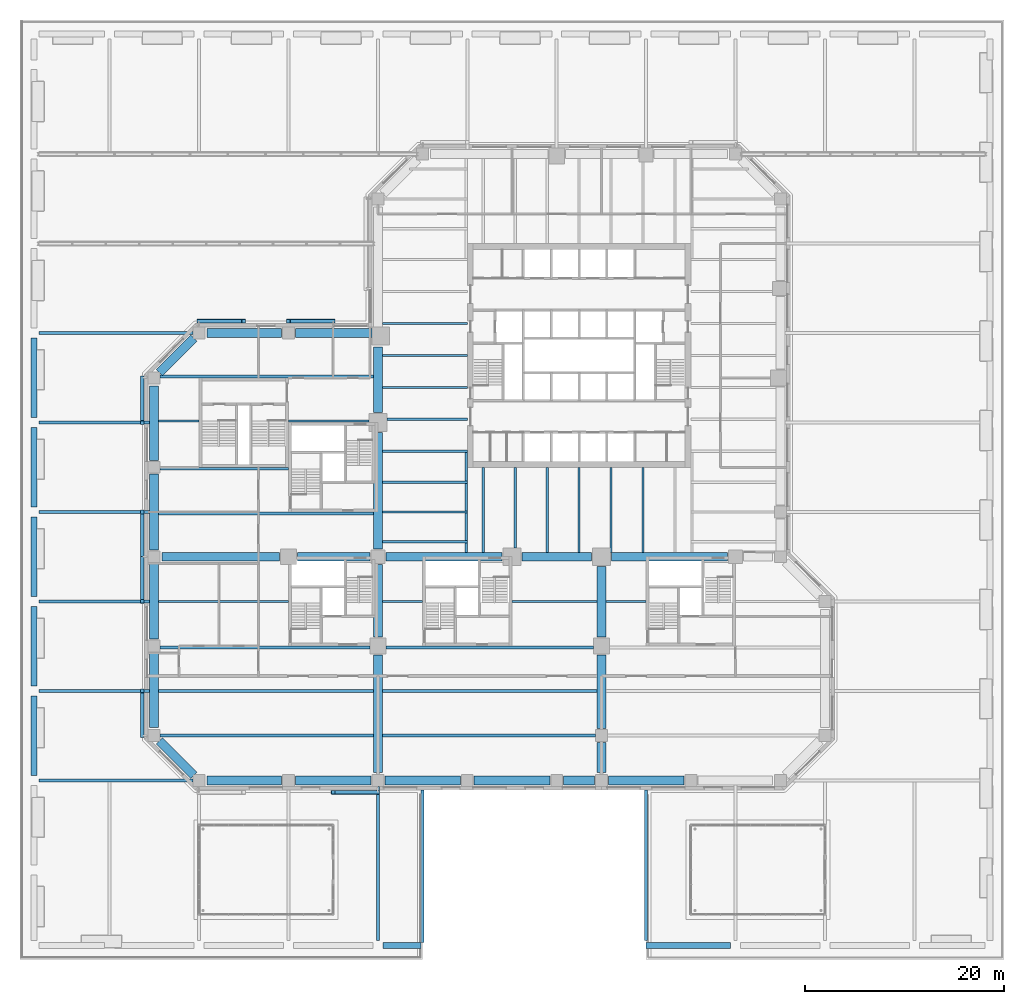
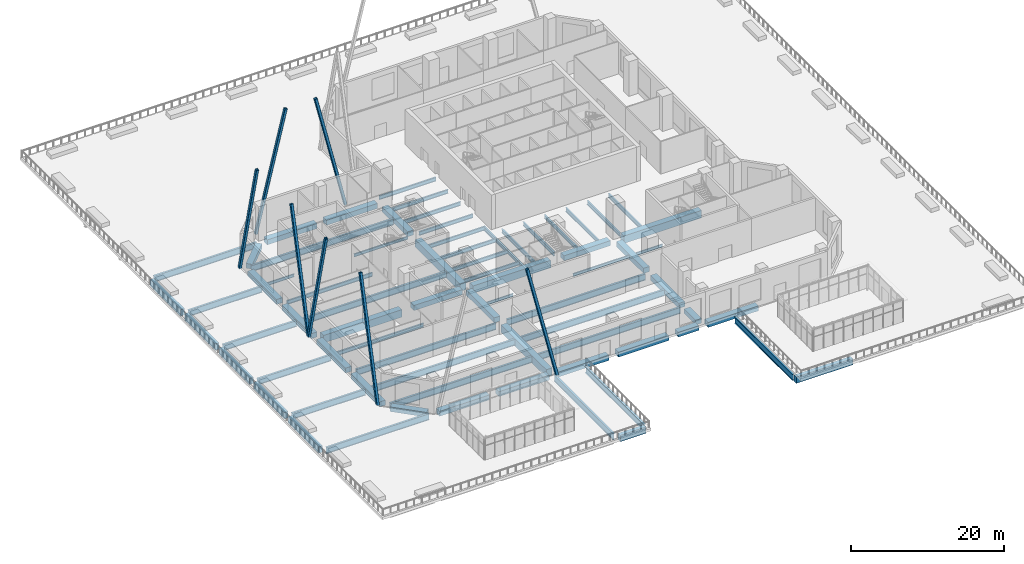
# One storey, part 8 of 33: 72 beams, 7 members.
"""IFC4 building model written with IfcOpenShell, lengths in metres."""

from ifc_helpers import new_model, si_unit, direction, frame, origin, origin_2d, place, context, subcontext, project, spatial, rectangle, hollow_rectangle, i_section, extrude, material, material_profile, profile_set, type_object, element, save


model = new_model("IFC4")

# Units and contexts
model_context = context("Model", 3, precision=1e-05, world=origin(), true_north=direction((0.0, 1.0)))
body_context = subcontext(model_context, "Body", "Model", "MODEL_VIEW")
ifc_project = project(units=[si_unit("LENGTHUNIT", "METRE"), si_unit("AREAUNIT", "SQUARE_METRE"), si_unit("VOLUMEUNIT", "CUBIC_METRE"), si_unit("PLANEANGLEUNIT", "RADIAN"), si_unit("MASSUNIT", "GRAM", prefix="KILO")], contexts=[model_context])

# Site, building, storey
site_placement = place(None, origin())
site = spatial("IfcSite", under=ifc_project, at=site_placement, CompositionType="ELEMENT")
building_placement = place(site_placement, origin())
building = spatial("IfcBuilding", under=site, at=building_placement, Name="Quoin Convention Tower", CompositionType="ELEMENT")
storey_placement = place(building_placement, frame((0.0, 0.0, 8.0)))
storey = spatial("IfcBuildingStorey", under=building, at=storey_placement, Name="L01", CompositionType="ELEMENT", Elevation=8.0)

# Beams
ifc_material_1 = material(Name="Steel Grade 300", Category="steel")
ifc_material_profile_1 = material_profile(ifc_material_1, i_section(OverallWidth=0.300048828125, OverallDepth=1.0, WebThickness=0.01611328125, FlangeThickness=0.02001953125, at=origin_2d()), Name="1000WB215")
ifc_profile_set_1 = profile_set([ifc_material_profile_1], Name="Steel Grade 300")
beam_type_1 = type_object("IfcBeamType", Name="1000WB215", PredefinedType="BEAM", material=ifc_profile_set_1)
beam_1_placement = place(storey_placement, frame((14.10009765625, 22.5, -0.85009765625), z_axis=(1.0, 0.0, 0.0), x_axis=(0.0, 1.0, 0.0)))
element("IfcBeam", 1, at=beam_1_placement, inside=storey, type_object=beam_type_1, Name="gir-L01-ST4-1-0", PredefinedType="BEAM", context=body_context, shape_type="SweptSolid", body=[
    extrude(i_section(OverallWidth=0.300048828125, OverallDepth=1.0, WebThickness=0.01611328125, FlangeThickness=0.02001953125, at=origin_2d()), origin(), (0.0, 0.0, 1.0), 21.449951171875),
])
beam_2_placement = place(storey_placement, frame((13.949951171875, 27.0, -0.85009765625), z_axis=(1.0, 0.0, 0.0), x_axis=(0.0, 1.0, 0.0)))
element("IfcBeam", 2, at=beam_2_placement, inside=storey, type_object=beam_type_1, Name="gir-L01-ST4-2-0", PredefinedType="BEAM", context=body_context, shape_type="SweptSolid", body=[
    extrude(i_section(OverallWidth=0.300048828125, OverallDepth=1.0, WebThickness=0.01611328125, FlangeThickness=0.02001953125, at=origin_2d()), origin(), (0.0, 0.0, 1.0), 21.60009765625),
])
beam_3_placement = place(storey_placement, frame((14.10009765625, 31.35009765625, -0.85009765625), z_axis=(1.0, 0.0, 0.0), x_axis=(0.0, 1.0, 0.0)))
element("IfcBeam", 3, at=beam_3_placement, inside=storey, type_object=beam_type_1, Name="gir-L01-ST4-3-0", PredefinedType="BEAM", context=body_context, shape_type="SweptSolid", body=[
    extrude(i_section(OverallWidth=0.300048828125, OverallDepth=1.0, WebThickness=0.01611328125, FlangeThickness=0.02001953125, at=origin_2d()), origin(), (0.0, 0.0, 1.0), 21.099853515625),
])
beam_4_placement = place(storey_placement, frame((36.449951171875, 22.5, -0.85009765625), z_axis=(1.0, 0.0, 0.0), x_axis=(0.0, 1.0, 0.0)))
element("IfcBeam", 4, at=beam_4_placement, inside=storey, type_object=beam_type_1, Name="gir-L01-ST3-1-0", PredefinedType="BEAM", context=body_context, shape_type="SweptSolid", body=[
    extrude(i_section(OverallWidth=0.300048828125, OverallDepth=1.0, WebThickness=0.01611328125, FlangeThickness=0.02001953125, at=origin_2d()), origin(), (0.0, 0.0, 1.0), 21.449951171875),
])
beam_5_placement = place(storey_placement, frame((36.449951171875, 27.0, -0.85009765625), z_axis=(1.0, 0.0, 0.0), x_axis=(0.0, 1.0, 0.0)))
element("IfcBeam", 5, at=beam_5_placement, inside=storey, type_object=beam_type_1, Name="gir-L01-ST3-2-0", PredefinedType="BEAM", context=body_context, shape_type="SweptSolid", body=[
    extrude(i_section(OverallWidth=0.300048828125, OverallDepth=1.0, WebThickness=0.01611328125, FlangeThickness=0.02001953125, at=origin_2d()), origin(), (0.0, 0.0, 1.0), 21.60009765625),
])
beam_6_placement = place(storey_placement, frame((36.800048828125, 31.35009765625, -0.85009765625), z_axis=(1.0, 0.0, 0.0), x_axis=(0.0, 1.0, 0.0)))
element("IfcBeam", 6, at=beam_6_placement, inside=storey, type_object=beam_type_1, Name="gir-L01-ST3-3-0", PredefinedType="BEAM", context=body_context, shape_type="SweptSolid", body=[
    extrude(i_section(OverallWidth=0.300048828125, OverallDepth=1.0, WebThickness=0.01611328125, FlangeThickness=0.02001953125, at=origin_2d()), origin(), (0.0, 0.0, 1.0), 20.89990234375),
])
beam_7_placement = place(storey_placement, frame((13.949951171875, 44.85009765625, -0.85009765625), z_axis=(1.0, 0.0, 0.0), x_axis=(0.0, 1.0, 0.0)))
element("IfcBeam", 7, at=beam_7_placement, inside=storey, type_object=beam_type_1, Name="gir-L01-ST2-1-0", PredefinedType="BEAM", context=body_context, shape_type="SweptSolid", body=[
    extrude(i_section(OverallWidth=0.300048828125, OverallDepth=1.0, WebThickness=0.01611328125, FlangeThickness=0.02001953125, at=origin_2d()), origin(), (0.0, 0.0, 1.0), 21.60009765625),
])
beam_8_placement = place(storey_placement, frame((14.10009765625, 58.64990234375, -0.85009765625), z_axis=(1.0, 0.0, 0.0), x_axis=(0.0, 1.0, 0.0)))
element("IfcBeam", 8, at=beam_8_placement, inside=storey, type_object=beam_type_1, Name="gir-L01-ST2-4-0", PredefinedType="BEAM", context=body_context, shape_type="SweptSolid", body=[
    extrude(i_section(OverallWidth=0.300048828125, OverallDepth=1.0, WebThickness=0.01611328125, FlangeThickness=0.02001953125, at=origin_2d()), origin(), (0.0, 0.0, 1.0), 21.449951171875),
])
beam_9_placement = place(storey_placement, frame((36.0, 1.89990234375, -0.909912109375), z_axis=(0.0, 1.0, 0.0), x_axis=(-1.0, 0.0, 0.0)))
element("IfcBeam", 9, at=beam_9_placement, inside=storey, type_object=beam_type_1, Name="gir-L01-deck-N36000_1900", PredefinedType="BEAM", context=body_context, shape_type="SweptSolid", body=[
    extrude(i_section(OverallWidth=0.300048828125, OverallDepth=1.0, WebThickness=0.01611328125, FlangeThickness=0.02001953125, at=origin_2d()), origin(), (0.0, 0.0, 1.0), 15.5),
])
beam_10_placement = place(storey_placement, frame((40.5, 1.699951171875, -0.909912109375), z_axis=(0.0, 1.0, 0.0), x_axis=(-1.0, 0.0, 0.0)))
element("IfcBeam", 10, at=beam_10_placement, inside=storey, type_object=beam_type_1, Name="gir-L01-deck-N40500_1700", PredefinedType="BEAM", context=body_context, shape_type="SweptSolid", body=[
    extrude(i_section(OverallWidth=0.300048828125, OverallDepth=1.0, WebThickness=0.01611328125, FlangeThickness=0.02001953125, at=origin_2d()), origin(), (0.0, 0.0, 1.0), 15.35009765625),
])
beam_11_placement = place(storey_placement, frame((63.0, 1.89990234375, -0.909912109375), z_axis=(0.0, 1.0, 0.0), x_axis=(-1.0, 0.0, 0.0)))
element("IfcBeam", 11, at=beam_11_placement, inside=storey, type_object=beam_type_1, Name="gir-L01-deck-N63000_1900", PredefinedType="BEAM", context=body_context, shape_type="SweptSolid", body=[
    extrude(i_section(OverallWidth=0.300048828125, OverallDepth=1.0, WebThickness=0.01611328125, FlangeThickness=0.02001953125, at=origin_2d()), origin(), (0.0, 0.0, 1.0), 15.150146484375),
])
beam_12_placement = place(storey_placement, frame((1.89990234375, 18.0, -0.909912109375), z_axis=(1.0, 0.0, 0.0), x_axis=(0.0, 1.0, 0.0)))
element("IfcBeam", 12, at=beam_12_placement, inside=storey, type_object=beam_type_1, Name="gir-L01-deck-E1900_18000", PredefinedType="BEAM", context=body_context, shape_type="SweptSolid", body=[
    extrude(i_section(OverallWidth=0.300048828125, OverallDepth=1.0, WebThickness=0.01611328125, FlangeThickness=0.02001953125, at=origin_2d()), origin(), (0.0, 0.0, 1.0), 15.5),
])
for number, where, z_axis, x_axis, name in (
    (13, (1.89990234375, 27.0, -0.909912109375), (1.0, 0.0, 0.0), (0.0, 1.0, 0.0), "gir-L01-deck-E1900_27000"),
    (14, (1.89990234375, 36.0, -0.909912109375), (1.0, 0.0, 0.0), (0.0, 1.0, 0.0), "gir-L01-deck-E1900_36000"),
    (15, (1.89990234375, 45.0, -0.909912109375), (1.0, 0.0, 0.0), (0.0, 1.0, 0.0), "gir-L01-deck-E1900_45000"),
    (16, (1.89990234375, 54.0, -0.909912109375), (1.0, 0.0, 0.0), (0.0, 1.0, 0.0), "gir-L01-deck-E1900_54000"),
):
    element("IfcBeam", number, at=place(storey_placement, frame(where, z_axis=z_axis, x_axis=x_axis)), inside=storey, type_object=beam_type_1, Name=name, PredefinedType="BEAM", context=body_context, shape_type="SweptSolid", body=[
        extrude(i_section(OverallWidth=0.300048828125, OverallDepth=1.0, WebThickness=0.01611328125, FlangeThickness=0.02001953125, at=origin_2d()), origin(), (0.0, 0.0, 1.0), 11.150146484375),
    ])
beam_13_placement = place(storey_placement, frame((1.89990234375, 63.0, -0.909912109375), z_axis=(1.0, 0.0, 0.0), x_axis=(0.0, 1.0, 0.0)))
element("IfcBeam", 17, at=beam_13_placement, inside=storey, type_object=beam_type_1, Name="gir-L01-deck-E1900_63000", PredefinedType="BEAM", context=body_context, shape_type="SweptSolid", body=[
    extrude(i_section(OverallWidth=0.300048828125, OverallDepth=1.0, WebThickness=0.01611328125, FlangeThickness=0.02001953125, at=origin_2d()), origin(), (0.0, 0.0, 1.0), 15.5),
])
ifc_material_profile_2 = material_profile(ifc_material_1, i_section(OverallWidth=0.18994140625, OverallDepth=0.4541015625, WebThickness=0.008544921875, FlangeThickness=0.0126953125, FilletRadius=0.011474609375, at=origin_2d()), Name="460UB67.1")
ifc_profile_set_2 = profile_set([ifc_material_profile_2], Name="Steel Grade 300")
beam_type_2 = type_object("IfcBeamType", Name="460UB67.1", PredefinedType="BEAM", material=ifc_profile_set_2)
beam_14_placement = place(storey_placement, frame((36.449951171875, 36.0, -0.576904296875), z_axis=(1.0, 0.0, 0.0), x_axis=(0.0, 1.0, 0.0)))
element("IfcBeam", 18, at=beam_14_placement, inside=storey, type_object=beam_type_2, Name="gir-L01-ST3-4-0", PredefinedType="BEAM", context=body_context, shape_type="SweptSolid", body=[
    extrude(i_section(OverallWidth=0.18994140625, OverallDepth=0.4541015625, WebThickness=0.008544921875, FlangeThickness=0.0126953125, FilletRadius=0.011474609375, at=origin_2d()), origin(), (0.0, 0.0, 1.0), 4.050048828125),
])
beam_15_placement = place(storey_placement, frame((49.5, 36.0, -0.576904296875), z_axis=(1.0, 0.0, 0.0), x_axis=(0.0, 1.0, 0.0)))
element("IfcBeam", 19, at=beam_15_placement, inside=storey, type_object=beam_type_2, Name="gir-L01-ST3-4-1", PredefinedType="BEAM", context=body_context, shape_type="SweptSolid", body=[
    extrude(i_section(OverallWidth=0.18994140625, OverallDepth=0.4541015625, WebThickness=0.008544921875, FlangeThickness=0.0126953125, FilletRadius=0.011474609375, at=origin_2d()), origin(), (0.0, 0.0, 1.0), 8.550048828125),
])
for number, where, z_axis, x_axis, name in (
    (20, (58.949951171875, 36.0, -0.576904296875), (1.0, 0.0, 0.0), (0.0, 1.0, 0.0), "gir-L01-ST5-4-0"),
    (21, (13.949951171875, 54.14990234375, -0.576904296875), (1.0, 0.0, 0.0), (0.0, 1.0, 0.0), "gir-L01-ST2-3-0"),
):
    element("IfcBeam", number, at=place(storey_placement, frame(where, z_axis=z_axis, x_axis=x_axis)), inside=storey, type_object=beam_type_2, Name=name, PredefinedType="BEAM", context=body_context, shape_type="SweptSolid", body=[
        extrude(i_section(OverallWidth=0.18994140625, OverallDepth=0.4541015625, WebThickness=0.008544921875, FlangeThickness=0.0126953125, FilletRadius=0.011474609375, at=origin_2d()), origin(), (0.0, 0.0, 1.0), 4.050048828125),
    ])
beam_16_placement = place(storey_placement, frame((27.0, 54.14990234375, -0.576904296875), z_axis=(1.0, 0.0, 0.0), x_axis=(0.0, 1.0, 0.0)))
element("IfcBeam", 22, at=beam_16_placement, inside=storey, type_object=beam_type_2, Name="gir-L01-ST2-3-1", PredefinedType="BEAM", context=body_context, shape_type="SweptSolid", body=[
    extrude(i_section(OverallWidth=0.18994140625, OverallDepth=0.4541015625, WebThickness=0.008544921875, FlangeThickness=0.0126953125, FilletRadius=0.011474609375, at=origin_2d()), origin(), (0.0, 0.0, 1.0), 8.10009765625),
])
ifc_material_profile_3 = material_profile(ifc_material_1, i_section(OverallWidth=0.22802734375, OverallDepth=0.60205078125, WebThickness=0.010498046875, FlangeThickness=0.014892578125, FilletRadius=0.013916015625, at=origin_2d()), Name="610UB101")
ifc_profile_set_3 = profile_set([ifc_material_profile_3], Name="Steel Grade 300")
beam_type_3 = type_object("IfcBeamType", Name="610UB101", PredefinedType="BEAM", material=ifc_profile_set_3)
beam_17_placement = place(storey_placement, frame((36.449951171875, 51.107177734375, -0.65087890625), z_axis=(1.0, 0.0, 0.0), x_axis=(0.0, 1.0, 0.0)))
element("IfcBeam", 23, at=beam_17_placement, inside=storey, type_object=beam_type_3, Name="bm-L01-T1W0", PredefinedType="BEAM", context=body_context, shape_type="SweptSolid", body=[
    extrude(i_section(OverallWidth=0.22802734375, OverallDepth=0.60205078125, WebThickness=0.010498046875, FlangeThickness=0.014892578125, FilletRadius=0.013916015625, at=origin_2d()), origin(), (0.0, 0.0, 1.0), 8.550048828125),
])
beam_18_placement = place(storey_placement, frame((36.89990234375, 54.3212890625, -0.65087890625), z_axis=(1.0, 0.0, 0.0), x_axis=(0.0, 1.0, 0.0)))
element("IfcBeam", 24, at=beam_18_placement, inside=storey, type_object=beam_type_3, Name="bm-L01-T1W1", PredefinedType="BEAM", context=body_context, shape_type="SweptSolid", body=[
    extrude(i_section(OverallWidth=0.22802734375, OverallDepth=0.60205078125, WebThickness=0.010498046875, FlangeThickness=0.014892578125, FilletRadius=0.013916015625, at=origin_2d()), origin(), (0.0, 0.0, 1.0), 8.10009765625),
])
for number, where, z_axis, x_axis, name in (
    (25, (36.449951171875, 57.53564453125, -0.65087890625), (1.0, 0.0, 0.0), (0.0, 1.0, 0.0), "bm-L01-T1W2"),
    (26, (36.449951171875, 60.75, -0.65087890625), (1.0, 0.0, 0.0), (0.0, 1.0, 0.0), "bm-L01-T1W3"),
    (27, (36.449951171875, 63.96435546875, -0.65087890625), (1.0, 0.0, 0.0), (0.0, 1.0, 0.0), "bm-L01-T1W4"),
    (28, (46.607177734375, 40.949951171875, -0.65087890625), (0.0, 1.0, 0.0), (-1.0, 0.0, 0.0), "bm-L01-T1S0"),
):
    element("IfcBeam", number, at=place(storey_placement, frame(where, z_axis=z_axis, x_axis=x_axis)), inside=storey, type_object=beam_type_3, Name=name, PredefinedType="BEAM", context=body_context, shape_type="SweptSolid", body=[
        extrude(i_section(OverallWidth=0.22802734375, OverallDepth=0.60205078125, WebThickness=0.010498046875, FlangeThickness=0.014892578125, FilletRadius=0.013916015625, at=origin_2d()), origin(), (0.0, 0.0, 1.0), 8.550048828125),
    ])
beam_19_placement = place(storey_placement, frame((49.8212890625, 41.39990234375, -0.65087890625), z_axis=(0.0, 1.0, 0.0), x_axis=(-1.0, 0.0, 0.0)))
element("IfcBeam", 29, at=beam_19_placement, inside=storey, type_object=beam_type_3, Name="bm-L01-T1S1", PredefinedType="BEAM", context=body_context, shape_type="SweptSolid", body=[
    extrude(i_section(OverallWidth=0.22802734375, OverallDepth=0.60205078125, WebThickness=0.010498046875, FlangeThickness=0.014892578125, FilletRadius=0.013916015625, at=origin_2d()), origin(), (0.0, 0.0, 1.0), 8.10009765625),
])
for number, where, z_axis, x_axis, name in (
    (30, (53.03564453125, 40.949951171875, -0.65087890625), (0.0, 1.0, 0.0), (-1.0, 0.0, 0.0), "bm-L01-T1S2"),
    (31, (56.25, 40.949951171875, -0.65087890625), (0.0, 1.0, 0.0), (-1.0, 0.0, 0.0), "bm-L01-T1S3"),
    (32, (59.46435546875, 40.949951171875, -0.65087890625), (0.0, 1.0, 0.0), (-1.0, 0.0, 0.0), "bm-L01-T1S4"),
    (33, (62.6787109375, 40.949951171875, -0.65087890625), (0.0, 1.0, 0.0), (-1.0, 0.0, 0.0), "bm-L01-T1S5"),
    (34, (36.449951171875, 42.0, -0.65087890625), (1.0, 0.0, 0.0), (0.0, 1.0, 0.0), "bm-L01-T1SW0"),
    (35, (36.449951171875, 45.0, -0.65087890625), (1.0, 0.0, 0.0), (0.0, 1.0, 0.0), "bm-L01-T1SW1"),
    (36, (36.449951171875, 48.0, -0.65087890625), (1.0, 0.0, 0.0), (0.0, 1.0, 0.0), "bm-L01-T1SW2"),
):
    element("IfcBeam", number, at=place(storey_placement, frame(where, z_axis=z_axis, x_axis=x_axis)), inside=storey, type_object=beam_type_3, Name=name, PredefinedType="BEAM", context=body_context, shape_type="SweptSolid", body=[
        extrude(i_section(OverallWidth=0.22802734375, OverallDepth=0.60205078125, WebThickness=0.010498046875, FlangeThickness=0.014892578125, FilletRadius=0.013916015625, at=origin_2d()), origin(), (0.0, 0.0, 1.0), 8.550048828125),
    ])
beam_20_placement = place(storey_placement, frame((13.949951171875, 36.0, -0.65087890625), z_axis=(1.0, 0.0, 0.0), x_axis=(0.0, 1.0, 0.0)))
element("IfcBeam", 37, at=beam_20_placement, inside=storey, type_object=beam_type_3, Name="gir-L01-ST4-4-0", PredefinedType="BEAM", context=body_context, shape_type="SweptSolid", body=[
    extrude(i_section(OverallWidth=0.22802734375, OverallDepth=0.60205078125, WebThickness=0.010498046875, FlangeThickness=0.014892578125, FilletRadius=0.013916015625, at=origin_2d()), origin(), (0.0, 0.0, 1.0), 13.050048828125),
])
beam_21_placement = place(storey_placement, frame((14.10009765625, 49.35009765625, -0.65087890625), z_axis=(1.0, 0.0, 0.0), x_axis=(0.0, 1.0, 0.0)))
element("IfcBeam", 38, at=beam_21_placement, inside=storey, type_object=beam_type_3, Name="gir-L01-ST2-2-0", PredefinedType="BEAM", context=body_context, shape_type="SweptSolid", body=[
    extrude(i_section(OverallWidth=0.22802734375, OverallDepth=0.60205078125, WebThickness=0.010498046875, FlangeThickness=0.014892578125, FilletRadius=0.013916015625, at=origin_2d()), origin(), (0.0, 0.0, 1.0), 12.89990234375),
])
ifc_material_profile_4 = material_profile(ifc_material_1, i_section(OverallWidth=0.22900390625, OverallDepth=0.612060546875, WebThickness=0.011962890625, FlangeThickness=0.01953125, FilletRadius=0.013916015625, at=origin_2d()), Name="610UB125")
ifc_profile_set_4 = profile_set([ifc_material_profile_4], Name="Steel Grade 300")
beam_type_4 = type_object("IfcBeamType", Name="610UB125", PredefinedType="BEAM", material=ifc_profile_set_4)
beam_22_placement = place(storey_placement, frame((44.885498046875, 40.949951171875, -0.656005859375), z_axis=(0.0, 1.0, 0.0), x_axis=(-1.0, 0.0, 0.0)))
element("IfcBeam", 39, at=beam_22_placement, inside=storey, type_object=beam_type_4, Name="gir-L01-T1SW", PredefinedType="BEAM", context=body_context, shape_type="SweptSolid", body=[
    extrude(i_section(OverallWidth=0.22900390625, OverallDepth=0.612060546875, WebThickness=0.011962890625, FlangeThickness=0.01953125, FilletRadius=0.013916015625, at=origin_2d()), origin(), (0.0, 0.0, 1.0), 10.043212890625),
])

# Members
ifc_material_2 = material(Name="Steel C450L0", Category="steel")
ifc_material_profile_5 = material_profile(ifc_material_2, hollow_rectangle(XDim=0.39990234375, YDim=0.39990234375, WallThickness=0.01611328125, InnerFilletRadius=0.02392578125, OuterFilletRadius=0.0400390625, at=origin_2d()), Name="400x400x16.0SHS")
ifc_profile_set_5 = profile_set([ifc_material_profile_5], Name="Steel C450L0")
member_type = type_object("IfcMemberType", Name="Exposed brace 400x400x16.0SHS", PredefinedType="BRACE", material=ifc_profile_set_5)
for number, where, z_axis, x_axis, name in (
    (40, (12.300048828125, 40.5, -0.074951171875), (0.0, -0.237564979371, 0.971371649049), (1.0, 0.0, 0.0), "brc-L01-13500_40500-13500_36000"),
    (41, (12.300048828125, 22.5, -0.074951171875), (0.0, 0.237564979371, 0.971371649049), (-1.0, 0.0, 0.0), "brc-L01-13500_27000-13500_22500"),
    (42, (12.300048828125, 58.5, -0.074951171875), (0.0, -0.237564979371, 0.971371649049), (1.0, 0.0, 0.0), "brc-L01-13500_58500-13500_54000"),
    (43, (12.300048828125, 40.5, -0.074951171875), (0.0, 0.237564979371, 0.971371649049), (-1.0, 0.0, 0.0), "brc-L01-13500_45000-13500_40500"),
    (44, (36.0, 16.800048828125, -0.074951171875), (-0.237564979371, 0.0, 0.971371649049), (0.0, -1.0, 0.0), "brc-L01-31500_18000-36000_18000"),
    (45, (31.5, 64.199951171875, -0.074951171875), (-0.237564979371, 0.0, 0.971371649049), (0.0, -1.0, 0.0), "brc-L01-31500_63000-27000_63000"),
    (46, (18.0, 64.199951171875, -0.074951171875), (0.237564979371, 0.0, 0.971371649049), (0.0, 1.0, 0.0), "brc-L01-22500_63000-18000_63000"),
):
    element("IfcMember", number, at=place(storey_placement, frame(where, z_axis=z_axis, x_axis=x_axis)), inside=storey, type_object=member_type, Name=name, PredefinedType="BRACE", context=body_context, shape_type="SweptSolid", body=[
        extrude(hollow_rectangle(XDim=0.39990234375, YDim=0.39990234375, WallThickness=0.01611328125, InnerFilletRadius=0.02392578125, OuterFilletRadius=0.0400390625, at=origin_2d()), origin(), (0.0, 0.0, 1.0), 18.942138671875),
    ])

# Beams
ifc_material_3 = material(Name="Concrete C100 (100 MPa)", Category="concrete")
ifc_material_profile_6 = material_profile(ifc_material_3, rectangle(XDim=0.60009765625, YDim=1.0, at=origin_2d()), Name="RC 600x1000")
ifc_profile_set_6 = profile_set([ifc_material_profile_6], Name="Concrete C100 (100 MPa)")
beam_type_5 = type_object("IfcBeamType", Name="RC 600x1000 C100", PredefinedType="SPANDREL", material=ifc_profile_set_6)
beam_23_placement = place(storey_placement, frame((36.5, 1.39990234375, -0.909912109375), z_axis=(1.0, 0.0, 0.0), x_axis=(0.0, 1.0, 0.0)))
element("IfcBeam", 47, at=beam_23_placement, inside=storey, type_object=beam_type_5, Name="spd-L01-edge-36000_1400-45000_1400", PredefinedType="SPANDREL", context=body_context, shape_type="SweptSolid", body=[
    extrude(rectangle(XDim=0.60009765625, YDim=1.0, at=origin_2d()), origin(), (0.0, 0.0, 1.0), 3.85009765625),
])
beam_24_placement = place(storey_placement, frame((63.0, 1.39990234375, -0.909912109375), z_axis=(1.0, 0.0, 0.0), x_axis=(0.0, 1.0, 0.0)))
element("IfcBeam", 48, at=beam_24_placement, inside=storey, type_object=beam_type_5, Name="spd-L01-edge-63000_1400-72000_1400", PredefinedType="SPANDREL", context=body_context, shape_type="SweptSolid", body=[
    extrude(rectangle(XDim=0.60009765625, YDim=1.0, at=origin_2d()), origin(), (0.0, 0.0, 1.0), 8.5),
])
for number, where, z_axis, x_axis, name in (
    (49, (1.39990234375, 18.5, -0.909912109375), (0.0, 1.0, 0.0), (-1.0, 0.0, 0.0), "spd-L01-edge-1400_18000-1400_27000"),
    (50, (1.39990234375, 27.5, -0.909912109375), (0.0, 1.0, 0.0), (-1.0, 0.0, 0.0), "spd-L01-edge-1400_27000-1400_36000"),
    (51, (1.39990234375, 36.5, -0.909912109375), (0.0, 1.0, 0.0), (-1.0, 0.0, 0.0), "spd-L01-edge-1400_36000-1400_45000"),
    (52, (1.39990234375, 45.5, -0.909912109375), (0.0, 1.0, 0.0), (-1.0, 0.0, 0.0), "spd-L01-edge-1400_45000-1400_54000"),
    (53, (1.39990234375, 54.5, -0.909912109375), (0.0, 1.0, 0.0), (-1.0, 0.0, 0.0), "spd-L01-edge-1400_54000-1400_63000"),
):
    element("IfcBeam", number, at=place(storey_placement, frame(where, z_axis=z_axis, x_axis=x_axis)), inside=storey, type_object=beam_type_5, Name=name, PredefinedType="SPANDREL", context=body_context, shape_type="SweptSolid", body=[
        extrude(rectangle(XDim=0.60009765625, YDim=1.0, at=origin_2d()), origin(), (0.0, 0.0, 1.0), 8.0),
    ])
ifc_material_profile_7 = material_profile(ifc_material_3, rectangle(XDim=0.89990234375, YDim=1.199951171875, at=origin_2d()), Name="RC 900x1200")
ifc_profile_set_7 = profile_set([ifc_material_profile_7], Name="Concrete C100 (100 MPa)")
beam_type_6 = type_object("IfcBeamType", Name="RC 900x1200 C100", PredefinedType="SPANDREL", material=ifc_profile_set_7)
beam_25_placement = place(storey_placement, frame((14.300048828125, 40.5, -0.949951171875), z_axis=(1.0, 0.0, 0.0), x_axis=(0.0, 1.0, 0.0)))
element("IfcBeam", 54, at=beam_25_placement, inside=storey, type_object=beam_type_6, Name="spd-L01-13500_40500-27000_40500", PredefinedType="SPANDREL", context=body_context, shape_type="SweptSolid", body=[
    extrude(rectangle(XDim=0.89990234375, YDim=1.199951171875, at=origin_2d()), origin(), (0.0, 0.0, 1.0), 11.800048828125),
])
for number, where, z_axis, x_axis, name in (
    (55, (36.800048828125, 40.5, -0.949951171875), (1.0, 0.0, 0.0), (0.0, 1.0, 0.0), "spd-L01-36000_40500-49500_40500"),
    (56, (59.5, 40.5, -0.949951171875), (1.0, 0.0, 0.0), (0.0, 1.0, 0.0), "spd-L01-58500_40500-72000_40500"),
):
    element("IfcBeam", number, at=place(storey_placement, frame(where, z_axis=z_axis, x_axis=x_axis)), inside=storey, type_object=beam_type_6, Name=name, PredefinedType="SPANDREL", context=body_context, shape_type="SweptSolid", body=[
        extrude(rectangle(XDim=0.89990234375, YDim=1.199951171875, at=origin_2d()), origin(), (0.0, 0.0, 1.0), 11.699951171875),
    ])
beam_26_placement = place(storey_placement, frame((36.0, 18.800048828125, -0.949951171875), z_axis=(0.0, 1.0, 0.0), x_axis=(-1.0, 0.0, 0.0)))
element("IfcBeam", 57, at=beam_26_placement, inside=storey, type_object=beam_type_6, Name="spd-L01-36000_18000-36000_31500", PredefinedType="SPANDREL", context=body_context, shape_type="SweptSolid", body=[
    extrude(rectangle(XDim=0.89990234375, YDim=1.199951171875, at=origin_2d()), origin(), (0.0, 0.0, 1.0), 11.800048828125),
])
beam_27_placement = place(storey_placement, frame((36.0, 41.300048828125, -0.949951171875), z_axis=(0.0, 1.0, 0.0), x_axis=(-1.0, 0.0, 0.0)))
element("IfcBeam", 58, at=beam_27_placement, inside=storey, type_object=beam_type_6, Name="spd-L01-36000_40500-36000_54000", PredefinedType="SPANDREL", context=body_context, shape_type="SweptSolid", body=[
    extrude(rectangle(XDim=0.89990234375, YDim=1.199951171875, at=origin_2d()), origin(), (0.0, 0.0, 1.0), 11.699951171875),
])
ifc_material_profile_8 = material_profile(ifc_material_3, rectangle(XDim=0.89990234375, YDim=0.75, at=origin_2d()), Name="RC 900x750")
ifc_profile_set_8 = profile_set([ifc_material_profile_8], Name="Concrete C100 (100 MPa)")
beam_type_7 = type_object("IfcBeamType", Name="RC 900x750 C100", PredefinedType="SPANDREL", material=ifc_profile_set_8)
beam_28_placement = place(storey_placement, frame((14.01513671875, 21.98486328125, -0.72509765625), z_axis=(0.707106781187, -0.707106781187, 0.0), x_axis=(0.707106781187, 0.707106781187, 0.0)))
element("IfcBeam", 59, at=beam_28_placement, inside=storey, type_object=beam_type_7, Name="spd-L01-13500_22500-18000_18000", PredefinedType="SPANDREL", context=body_context, shape_type="SweptSolid", body=[
    extrude(rectangle(XDim=0.89990234375, YDim=0.75, at=origin_2d()), origin(), (0.0, 0.0, 1.0), 4.906982421875),
])
beam_29_placement = place(storey_placement, frame((54.699951171875, 18.0, -0.72509765625), z_axis=(1.0, 0.0, 0.0), x_axis=(0.0, 1.0, 0.0)))
element("IfcBeam", 60, at=beam_29_placement, inside=storey, type_object=beam_type_7, Name="spd-L01-54000_18000-58500_18000", PredefinedType="SPANDREL", context=body_context, shape_type="SweptSolid", body=[
    extrude(rectangle(XDim=0.89990234375, YDim=0.75, at=origin_2d()), origin(), (0.0, 0.0, 1.0), 3.10009765625),
])
beam_30_placement = place(storey_placement, frame((17.48486328125, 62.48486328125, -0.72509765625), z_axis=(-0.707106781187, -0.707106781187, 0.0), x_axis=(0.707106781187, -0.707106781187, 0.0)))
element("IfcBeam", 61, at=beam_30_placement, inside=storey, type_object=beam_type_7, Name="spd-L01-18000_63000-13500_58500", PredefinedType="SPANDREL", context=body_context, shape_type="SweptSolid", body=[
    extrude(rectangle(XDim=0.89990234375, YDim=0.75, at=origin_2d()), origin(), (0.0, 0.0, 1.0), 4.906982421875),
])
beam_31_placement = place(storey_placement, frame((58.5, 18.800048828125, -0.72509765625), z_axis=(0.0, 1.0, 0.0), x_axis=(-1.0, 0.0, 0.0)))
element("IfcBeam", 62, at=beam_31_placement, inside=storey, type_object=beam_type_7, Name="spd-L01-58500_18000-58500_22500", PredefinedType="SPANDREL", context=body_context, shape_type="SweptSolid", body=[
    extrude(rectangle(XDim=0.89990234375, YDim=0.75, at=origin_2d()), origin(), (0.0, 0.0, 1.0), 3.0),
])
ifc_material_profile_9 = material_profile(ifc_material_3, rectangle(XDim=0.89990234375, YDim=0.800048828125, at=origin_2d()), Name="RC 900x800")
ifc_profile_set_9 = profile_set([ifc_material_profile_9], Name="Concrete C100 (100 MPa)")
beam_type_8 = type_object("IfcBeamType", Name="RC 900x800 C100", PredefinedType="SPANDREL", material=ifc_profile_set_9)
beam_32_placement = place(storey_placement, frame((18.800048828125, 18.0, -0.75), z_axis=(1.0, 0.0, 0.0), x_axis=(0.0, 1.0, 0.0)))
element("IfcBeam", 63, at=beam_32_placement, inside=storey, type_object=beam_type_8, Name="spd-L01-18000_18000-27000_18000", PredefinedType="SPANDREL", context=body_context, shape_type="SweptSolid", body=[
    extrude(rectangle(XDim=0.89990234375, YDim=0.800048828125, at=origin_2d()), origin(), (0.0, 0.0, 1.0), 7.5),
])
for number, where, z_axis, x_axis, name in (
    (64, (27.699951171875, 18.0, -0.75), (1.0, 0.0, 0.0), (0.0, 1.0, 0.0), "spd-L01-27000_18000-36000_18000"),
    (65, (36.699951171875, 18.0, -0.75), (1.0, 0.0, 0.0), (0.0, 1.0, 0.0), "spd-L01-36000_18000-45000_18000"),
    (66, (45.699951171875, 18.0, -0.75), (1.0, 0.0, 0.0), (0.0, 1.0, 0.0), "spd-L01-45000_18000-54000_18000"),
    (67, (59.199951171875, 18.0, -0.75), (1.0, 0.0, 0.0), (0.0, 1.0, 0.0), "spd-L01-58500_18000-67500_18000"),
):
    element("IfcBeam", number, at=place(storey_placement, frame(where, z_axis=z_axis, x_axis=x_axis)), inside=storey, type_object=beam_type_8, Name=name, PredefinedType="SPANDREL", context=body_context, shape_type="SweptSolid", body=[
        extrude(rectangle(XDim=0.89990234375, YDim=0.800048828125, at=origin_2d()), origin(), (0.0, 0.0, 1.0), 7.60009765625),
    ])
beam_33_placement = place(storey_placement, frame((35.39990234375, 63.0, -0.75), z_axis=(-1.0, 0.0, 0.0), x_axis=(0.0, -1.0, 0.0)))
element("IfcBeam", 68, at=beam_33_placement, inside=storey, type_object=beam_type_8, Name="spd-L01-36000_63000-27000_63000", PredefinedType="SPANDREL", context=body_context, shape_type="SweptSolid", body=[
    extrude(rectangle(XDim=0.89990234375, YDim=0.800048828125, at=origin_2d()), origin(), (0.0, 0.0, 1.0), 7.699951171875),
])
for number, where, z_axis, x_axis, name in (
    (69, (26.300048828125, 63.0, -0.75), (-1.0, 0.0, 0.0), (0.0, -1.0, 0.0), "spd-L01-27000_63000-18000_63000"),
    (70, (13.5, 57.699951171875, -0.75), (0.0, -1.0, 0.0), (1.0, 0.0, 0.0), "spd-L01-13500_58500-13500_49500"),
):
    element("IfcBeam", number, at=place(storey_placement, frame(where, z_axis=z_axis, x_axis=x_axis)), inside=storey, type_object=beam_type_8, Name=name, PredefinedType="SPANDREL", context=body_context, shape_type="SweptSolid", body=[
        extrude(rectangle(XDim=0.89990234375, YDim=0.800048828125, at=origin_2d()), origin(), (0.0, 0.0, 1.0), 7.5),
    ])
for number, where, z_axis, x_axis, name in (
    (71, (13.5, 48.800048828125, -0.75), (0.0, -1.0, 0.0), (1.0, 0.0, 0.0), "spd-L01-13500_49500-13500_40500"),
    (72, (13.5, 39.800048828125, -0.75), (0.0, -1.0, 0.0), (1.0, 0.0, 0.0), "spd-L01-13500_40500-13500_31500"),
):
    element("IfcBeam", number, at=place(storey_placement, frame(where, z_axis=z_axis, x_axis=x_axis)), inside=storey, type_object=beam_type_8, Name=name, PredefinedType="SPANDREL", context=body_context, shape_type="SweptSolid", body=[
        extrude(rectangle(XDim=0.89990234375, YDim=0.800048828125, at=origin_2d()), origin(), (0.0, 0.0, 1.0), 7.60009765625),
    ])
beam_34_placement = place(storey_placement, frame((13.5, 30.800048828125, -0.75), z_axis=(0.0, -1.0, 0.0), x_axis=(1.0, 0.0, 0.0)))
element("IfcBeam", 73, at=beam_34_placement, inside=storey, type_object=beam_type_8, Name="spd-L01-13500_31500-13500_22500", PredefinedType="SPANDREL", context=body_context, shape_type="SweptSolid", body=[
    extrude(rectangle(XDim=0.89990234375, YDim=0.800048828125, at=origin_2d()), origin(), (0.0, 0.0, 1.0), 7.5),
])
beam_35_placement = place(storey_placement, frame((27.89990234375, 40.5, -0.75), z_axis=(1.0, 0.0, 0.0), x_axis=(0.0, 1.0, 0.0)))
element("IfcBeam", 74, at=beam_35_placement, inside=storey, type_object=beam_type_8, Name="spd-L01-27000_40500-36000_40500", PredefinedType="SPANDREL", context=body_context, shape_type="SweptSolid", body=[
    extrude(rectangle(XDim=0.89990234375, YDim=0.800048828125, at=origin_2d()), origin(), (0.0, 0.0, 1.0), 7.300048828125),
])
beam_36_placement = place(storey_placement, frame((50.5, 40.5, -0.75), z_axis=(1.0, 0.0, 0.0), x_axis=(0.0, 1.0, 0.0)))
element("IfcBeam", 75, at=beam_36_placement, inside=storey, type_object=beam_type_8, Name="spd-L01-49500_40500-58500_40500", PredefinedType="SPANDREL", context=body_context, shape_type="SweptSolid", body=[
    extrude(rectangle(XDim=0.89990234375, YDim=0.800048828125, at=origin_2d()), origin(), (0.0, 0.0, 1.0), 7.0),
])
beam_37_placement = place(storey_placement, frame((36.0, 32.39990234375, -0.75), z_axis=(0.0, 1.0, 0.0), x_axis=(-1.0, 0.0, 0.0)))
element("IfcBeam", 76, at=beam_37_placement, inside=storey, type_object=beam_type_8, Name="spd-L01-36000_31500-36000_40500", PredefinedType="SPANDREL", context=body_context, shape_type="SweptSolid", body=[
    extrude(rectangle(XDim=0.89990234375, YDim=0.800048828125, at=origin_2d()), origin(), (0.0, 0.0, 1.0), 7.300048828125),
])
beam_38_placement = place(storey_placement, frame((36.0, 55.0, -0.75), z_axis=(0.0, 1.0, 0.0), x_axis=(-1.0, 0.0, 0.0)))
element("IfcBeam", 77, at=beam_38_placement, inside=storey, type_object=beam_type_8, Name="spd-L01-36000_54000-36000_63000", PredefinedType="SPANDREL", context=body_context, shape_type="SweptSolid", body=[
    extrude(rectangle(XDim=0.89990234375, YDim=0.800048828125, at=origin_2d()), origin(), (0.0, 0.0, 1.0), 6.60009765625),
])
beam_39_placement = place(storey_placement, frame((58.5, 23.199951171875, -0.75), z_axis=(0.0, 1.0, 0.0), x_axis=(-1.0, 0.0, 0.0)))
element("IfcBeam", 78, at=beam_39_placement, inside=storey, type_object=beam_type_8, Name="spd-L01-58500_22500-58500_31500", PredefinedType="SPANDREL", context=body_context, shape_type="SweptSolid", body=[
    extrude(rectangle(XDim=0.89990234375, YDim=0.800048828125, at=origin_2d()), origin(), (0.0, 0.0, 1.0), 7.400146484375),
])
beam_40_placement = place(storey_placement, frame((58.5, 32.39990234375, -0.75), z_axis=(0.0, 1.0, 0.0), x_axis=(-1.0, 0.0, 0.0)))
element("IfcBeam", 79, at=beam_40_placement, inside=storey, type_object=beam_type_8, Name="spd-L01-58500_31500-58500_40500", PredefinedType="SPANDREL", context=body_context, shape_type="SweptSolid", body=[
    extrude(rectangle(XDim=0.89990234375, YDim=0.800048828125, at=origin_2d()), origin(), (0.0, 0.0, 1.0), 7.10009765625),
])

save(model, "model.ifc")
